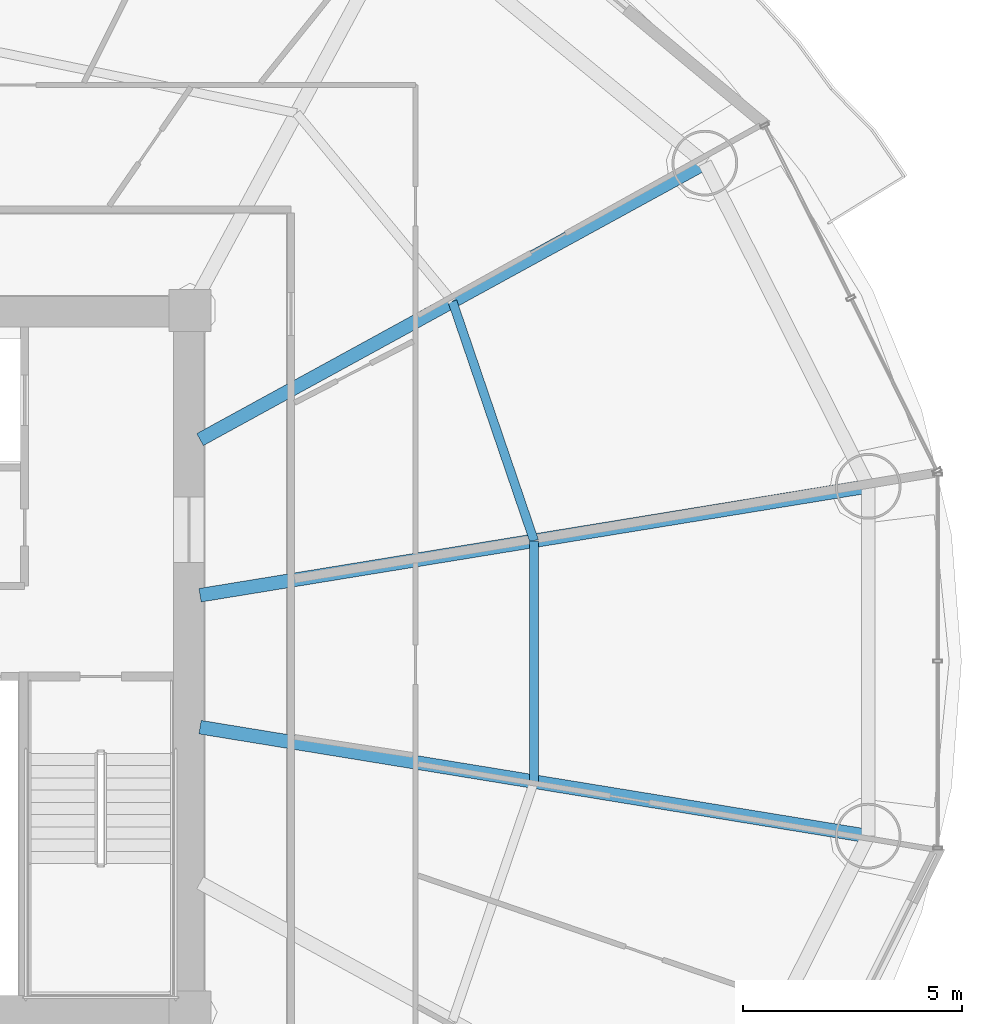
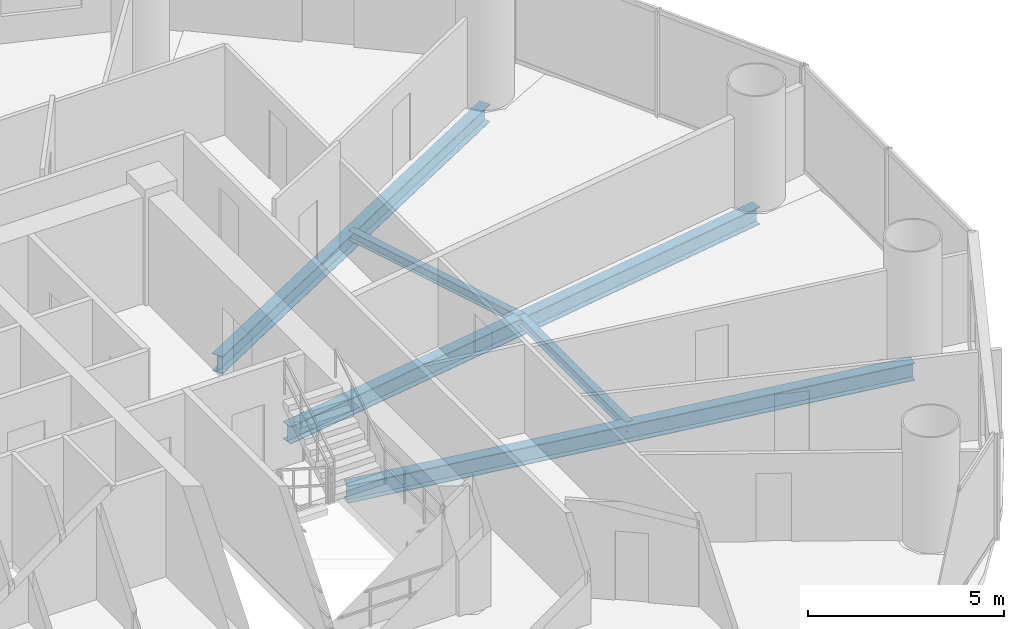
# One storey, part 13 of 28: 5 beams.
"""IFC4 building model written with IfcOpenShell, lengths in metres."""

import ifcopenshell
import ifcopenshell.guid

model = None  # the IFC model being written
_history = None  # IfcOwnerHistory: only IFC2X3 demands one
_inside = {}  # id of a spatial element -> (the spatial element, [elements in it])
_under = {}  # id of a project, library or spatial element -> (it, [spatial elements below it])
_declared = {}  # id of a project -> (the project, [libraries it declares])
_typed = {}  # id of a type object -> (the type object, [elements of that type])
_made_of = {}  # id of a material, layer set ... -> (it, [elements and type objects made of it])


def new_model(schema):
    """Start an empty IFC model of exactly this schema.

    Asked for "IFC4X3", IfcOpenShell would pick the latest addendum, in which some entities
    have other attributes; the version numbers below select the first issue.
    IFC2X3 requires an IfcOwnerHistory on every rooted entity: one is made here for all.
    """
    global model, _history
    if schema == "IFC4X3":
        model = ifcopenshell.file(schema_version=(4, 3, 0, 0))
    else:
        model = ifcopenshell.file(schema=schema)
    _inside.clear()
    _under.clear()
    _declared.clear()
    _typed.clear()
    _made_of.clear()
    _history = None
    if model.schema == "IFC2X3":
        org = make("IfcOrganization", Name="unknown")
        user = make(
            "IfcPersonAndOrganization",
            ThePerson=make("IfcPerson", FamilyName="unknown"),
            TheOrganization=org,
        )
        app = make(
            "IfcApplication",
            ApplicationDeveloper=org,
            Version="unknown",
            ApplicationFullName="unknown",
            ApplicationIdentifier="unknown",
        )
        _history = make(
            "IfcOwnerHistory",
            OwningUser=user,
            OwningApplication=app,
            ChangeAction="ADDED",
            CreationDate=0,
        )
    return model


def make(cls, **values):
    """One entity of the class cls with the attributes given. An attribute that is None is left unset."""
    return model.create_entity(
        cls, **{name: value for name, value in values.items() if value is not None}
    )


def rooted(cls, **values):
    """An entity with a GlobalId (a new one), such as an element, a storey or a relation."""
    return make(cls, GlobalId=ifcopenshell.guid.new(), OwnerHistory=_history, **values)


def si_unit(unit_type, name, prefix=None):
    """IfcSIUnit, for example si_unit("LENGTHUNIT", "METRE", prefix="MILLI")."""
    return make("IfcSIUnit", UnitType=unit_type, Prefix=prefix, Name=name)


def assignment(units):
    """IfcUnitAssignment: the units of a project."""
    return None if units is None else make("IfcUnitAssignment", Units=units)


def point(xyz):
    """IfcCartesianPoint."""
    return None if xyz is None else make("IfcCartesianPoint", Coordinates=xyz)


def direction(xyz):
    """IfcDirection."""
    return None if xyz is None else make("IfcDirection", DirectionRatios=xyz)


def frame(location, z_axis=None, x_axis=None):
    """IfcAxis2Placement3D, a coordinate frame: its origin and axes. An axis left out is left unset."""
    return make(
        "IfcAxis2Placement3D",
        Location=point(location),
        Axis=direction(z_axis),
        RefDirection=direction(x_axis),
    )


def frame_2d(location, x_axis=None):
    """IfcAxis2Placement2D, a coordinate frame in the plane: its origin and x axis."""
    return make(
        "IfcAxis2Placement2D", Location=point(location), RefDirection=direction(x_axis)
    )


def origin():
    """The frame at (0, 0, 0) with its axes left unset."""
    return frame((0.0, 0.0, 0.0))


def origin_2d():
    """The frame at (0, 0) in the plane with its x axis left unset."""
    return frame_2d((0.0, 0.0))


def place(relative_to, where):
    """IfcLocalPlacement: puts the frame where relative to a parent placement (None: the world)."""
    return make(
        "IfcLocalPlacement", PlacementRelTo=relative_to, RelativePlacement=where
    )


def context(
    kind, dimensions, precision=None, world=None, true_north=None, identifier=None
):
    """IfcGeometricRepresentationContext, for example the 3D "Model" context."""
    return make(
        "IfcGeometricRepresentationContext",
        ContextIdentifier=identifier,
        ContextType=kind,
        CoordinateSpaceDimension=dimensions,
        Precision=precision,
        WorldCoordinateSystem=world,
        TrueNorth=true_north,
    )


def subcontext(parent, identifier, kind, view, scale=None):
    """IfcGeometricRepresentationSubContext, for example "Body" below "Model"."""
    return make(
        "IfcGeometricRepresentationSubContext",
        ContextIdentifier=identifier,
        ContextType=kind,
        ParentContext=parent,
        TargetScale=scale,
        TargetView=view,
    )


def project(units=None, contexts=None):
    """IfcProject with its units and contexts."""
    return rooted(
        "IfcProject",
        Name="project",
        RepresentationContexts=contexts,
        UnitsInContext=assignment(units),
    )


def spatial(cls, under=None, at=None, **own):
    """A site, building, storey or space (cls), placed at a placement, below another one or the project."""
    s = rooted(cls, ObjectPlacement=at, **own)
    if under is not None:
        _under.setdefault(under.id(), (under, []))[1].append(s)
    return s


def profile(cls, at=None, kind="AREA", **sizes):
    """A parametric profile (cls). Its sizes go by their IFC names, for example OverallWidth=200.0."""
    return make(cls, ProfileType=kind, Position=at, **sizes)


def i_section(**sizes):
    """IfcIShapeProfileDef."""
    return profile("IfcIShapeProfileDef", **sizes)


def extrude(swept, where, along, depth):
    """IfcExtrudedAreaSolid: the profile swept, set in the frame where, extruded along a direction by depth."""
    return make(
        "IfcExtrudedAreaSolid",
        SweptArea=swept,
        Position=where,
        ExtrudedDirection=direction(along),
        Depth=depth,
    )


def shape(context_of_items, identifier, shape_type, items):
    """IfcShapeRepresentation: the items that make up one representation, for example the "Body"."""
    return make(
        "IfcShapeRepresentation",
        ContextOfItems=context_of_items,
        RepresentationIdentifier=identifier,
        RepresentationType=shape_type,
        Items=items,
    )


def material(Name=None, Category=None):
    """IfcMaterial."""
    return make("IfcMaterial", Name=Name, Category=Category)


def material_profile(
    of_material, cross_section, Name=None, Category=None, Priority=None
):
    """IfcMaterialProfile: a cross section and its material."""
    return make(
        "IfcMaterialProfile",
        Name=Name,
        Material=of_material,
        Profile=cross_section,
        Priority=Priority,
        Category=Category,
    )


def profile_set(profiles, Name=None, composite=None):
    """IfcMaterialProfileSet."""
    return make(
        "IfcMaterialProfileSet",
        Name=Name,
        MaterialProfiles=profiles,
        CompositeProfile=composite,
    )


def made_of(thing, what):
    """Note that an element or type object is made of a material, layer set ...; save() writes the relation."""
    if what is not None:
        _made_of.setdefault(what.id(), (what, []))[1].append(thing)
    return thing


def type_object(cls, material=None, **own):
    """A type object (cls), such as IfcWallType, which elements share."""
    return made_of(rooted(cls, **own), material)


def element(
    cls,
    number,
    at=None,
    inside=None,
    cuts=None,
    type_object=None,
    material=None,
    context=None,
    identifier="Body",
    shape_type=None,
    held_by="IfcProductDefinitionShape",
    body=None,
    shapes=None,
    **own,
):
    """One element of the class cls, such as IfcWall. Its Tag is "e" and its number.

    at: its placement. inside: the storey or other place that contains it. cuts: it is an
    opening in that element (IfcRelVoidsElement). A single representation is given by context,
    identifier, shape_type and body (its items); several are given by shapes. held_by: the class
    of the entity that holds the representations. save() writes the other relations.
    """
    e = rooted(cls, Tag="e%d" % number, ObjectPlacement=at, **own)
    if body is not None:
        shapes = [shape(context, identifier, shape_type, body)]
    if shapes is not None:
        e.Representation = make(held_by, Representations=shapes)
    if inside is not None:
        _inside.setdefault(inside.id(), (inside, []))[1].append(e)
    if cuts is not None:
        rooted(
            "IfcRelVoidsElement", RelatingBuildingElement=cuts, RelatedOpeningElement=e
        )
    if type_object is not None:
        _typed.setdefault(type_object.id(), (type_object, []))[1].append(e)
    return made_of(e, material)


def aggregate(whole, parts):
    """IfcRelAggregates: a whole, such as a stair, and the parts it consists of."""
    return rooted("IfcRelAggregates", RelatingObject=whole, RelatedObjects=parts)


def save(model, path):
    """Write the relations noted so far, then the file.

    IfcRelAggregates (storeys below a building ...), IfcRelContainedInSpatialStructure (elements
    in a storey), IfcRelDefinesByType, IfcRelAssociatesMaterial and IfcRelDeclares: one each for
    every whole, place, type object, material and project.
    """
    for whole, parts in _under.values():
        aggregate(whole, parts)
    for where, things in _inside.values():
        rooted(
            "IfcRelContainedInSpatialStructure",
            RelatedElements=things,
            RelatingStructure=where,
        )
    for kind, things in _typed.values():
        rooted("IfcRelDefinesByType", RelatedObjects=things, RelatingType=kind)
    for what, things in _made_of.values():
        rooted("IfcRelAssociatesMaterial", RelatedObjects=things, RelatingMaterial=what)
    for by, libraries in _declared.values():
        rooted("IfcRelDeclares", RelatingContext=by, RelatedDefinitions=libraries)
    model.write(path)


model = new_model("IFC4")

# Units and contexts
model_context = context("Model", 3, precision=1e-05, world=origin(), true_north=direction((-0.2419218956, 0.970295726276)))
body_context = subcontext(model_context, "Body", "Model", "MODEL_VIEW")
ifc_project = project(units=[si_unit("LENGTHUNIT", "METRE"), si_unit("AREAUNIT", "SQUARE_METRE"), si_unit("VOLUMEUNIT", "CUBIC_METRE"), si_unit("PLANEANGLEUNIT", "RADIAN"), si_unit("MASSUNIT", "GRAM", prefix="KILO")], contexts=[model_context])

# Site, building, storey
site_placement = place(None, origin())
site = spatial("IfcSite", under=ifc_project, at=site_placement, CompositionType="ELEMENT")
building_placement = place(site_placement, origin())
building = spatial("IfcBuilding", under=site, at=building_placement, Name="Cobrevalo Terracotta Tower", CompositionType="ELEMENT")
storey_placement = place(building_placement, frame((0.0, 0.0, 108.60009765625)))
storey = spatial("IfcBuildingStorey", under=building, at=storey_placement, Name="L28", CompositionType="ELEMENT", Elevation=108.60009765625)

# Beams
ifc_material = material(Name="Steel S355", Category="steel")
ifc_material_profile_1 = material_profile(ifc_material, i_section(OverallWidth=0.31201171875, OverallDepth=0.54296875, WebThickness=0.0126953125, FlangeThickness=0.020263671875, at=origin_2d()), Name="W 530x150")
ifc_profile_set_1 = profile_set([ifc_material_profile_1], Name="Steel S355")
beam_type_1 = type_object("IfcBeamType", Name="Structural Beam W 530x150 (Steel S355)", PredefinedType="BEAM", material=ifc_profile_set_1)
beam_1_placement = place(storey_placement, frame((62.470703125, 30.78955078125, -0.546630859375), z_axis=(-0.986970567439, -0.160900898101, 0.0), x_axis=(0.160900898101, -0.986970567439, 0.0)))
element("IfcBeam", 1, at=beam_1_placement, inside=storey, type_object=beam_type_1, Name="L28 radial floor girder 01", PredefinedType="BEAM", context=body_context, shape_type="SweptSolid", body=[
    extrude(i_section(OverallWidth=0.31201171875, OverallDepth=0.54296875, WebThickness=0.0126953125, FlangeThickness=0.020263671875, at=origin_2d()), origin(), (0.0, 0.0, 1.0), 15.44189453125),
])
beam_2_placement = place(storey_placement, frame((58.7451171875, 38.161376953125, -0.546630859375), z_axis=(-0.877080599376, -0.480343233738, 0.0), x_axis=(0.480343233738, -0.877080599376, 0.0)))
element("IfcBeam", 2, at=beam_2_placement, inside=storey, type_object=beam_type_1, Name="L28 radial floor girder 02", PredefinedType="BEAM", context=body_context, shape_type="SweptSolid", body=[
    extrude(i_section(OverallWidth=0.31201171875, OverallDepth=0.54296875, WebThickness=0.0126953125, FlangeThickness=0.020263671875, at=origin_2d()), origin(), (0.0, 0.0, 1.0), 13.12890625),
])
beam_3_placement = place(storey_placement, frame((62.470703125, 22.810302734375, -0.546630859375), z_axis=(-0.986968056587, 0.160916298977, 0.0), x_axis=(-0.160916298977, -0.986968056587, 0.0)))
element("IfcBeam", 3, at=beam_3_placement, inside=storey, type_object=beam_type_1, Name="L28 radial floor girder 16", PredefinedType="BEAM", context=body_context, shape_type="SweptSolid", body=[
    extrude(i_section(OverallWidth=0.31201171875, OverallDepth=0.54296875, WebThickness=0.0126953125, FlangeThickness=0.020263671875, at=origin_2d()), origin(), (0.0, 0.0, 1.0), 15.44189453125),
])
ifc_material_profile_2 = material_profile(ifc_material, i_section(OverallWidth=0.2041015625, OverallDepth=0.305908203125, WebThickness=0.008544921875, FlangeThickness=0.0146484375, at=origin_2d()), Name="W 310x67")
ifc_profile_set_2 = profile_set([ifc_material_profile_2], Name="Steel S355")
beam_type_2 = type_object("IfcBeamType", Name="Structural Joist W 310x67 (Steel S355)", PredefinedType="JOIST", material=ifc_profile_set_2)
beam_4_placement = place(storey_placement, frame((54.850341796875, 29.547119140625, -0.427978515625), z_axis=(-0.322833299398, 0.94645584197, 0.0), x_axis=(-0.94645584197, -0.322833299398, 0.0)))
element("IfcBeam", 4, at=beam_4_placement, inside=storey, type_object=beam_type_2, Name="L28 circumferential secondary floor joist 01", PredefinedType="JOIST", context=body_context, shape_type="SweptSolid", body=[
    extrude(i_section(OverallWidth=0.2041015625, OverallDepth=0.305908203125, WebThickness=0.008544921875, FlangeThickness=0.0146484375, at=origin_2d()), origin(), (0.0, 0.0, 1.0), 5.77001953125),
])
beam_5_placement = place(storey_placement, frame((54.850341796875, 24.052734375, -0.427978515625), z_axis=(0.0, 1.0, 0.0), x_axis=(-1.0, 0.0, 0.0)))
element("IfcBeam", 5, at=beam_5_placement, inside=storey, type_object=beam_type_2, Name="L28 circumferential secondary floor joist 16", PredefinedType="JOIST", context=body_context, shape_type="SweptSolid", body=[
    extrude(i_section(OverallWidth=0.2041015625, OverallDepth=0.305908203125, WebThickness=0.008544921875, FlangeThickness=0.0146484375, at=origin_2d()), origin(), (0.0, 0.0, 1.0), 5.494384765625),
])

save(model, "model.ifc")
